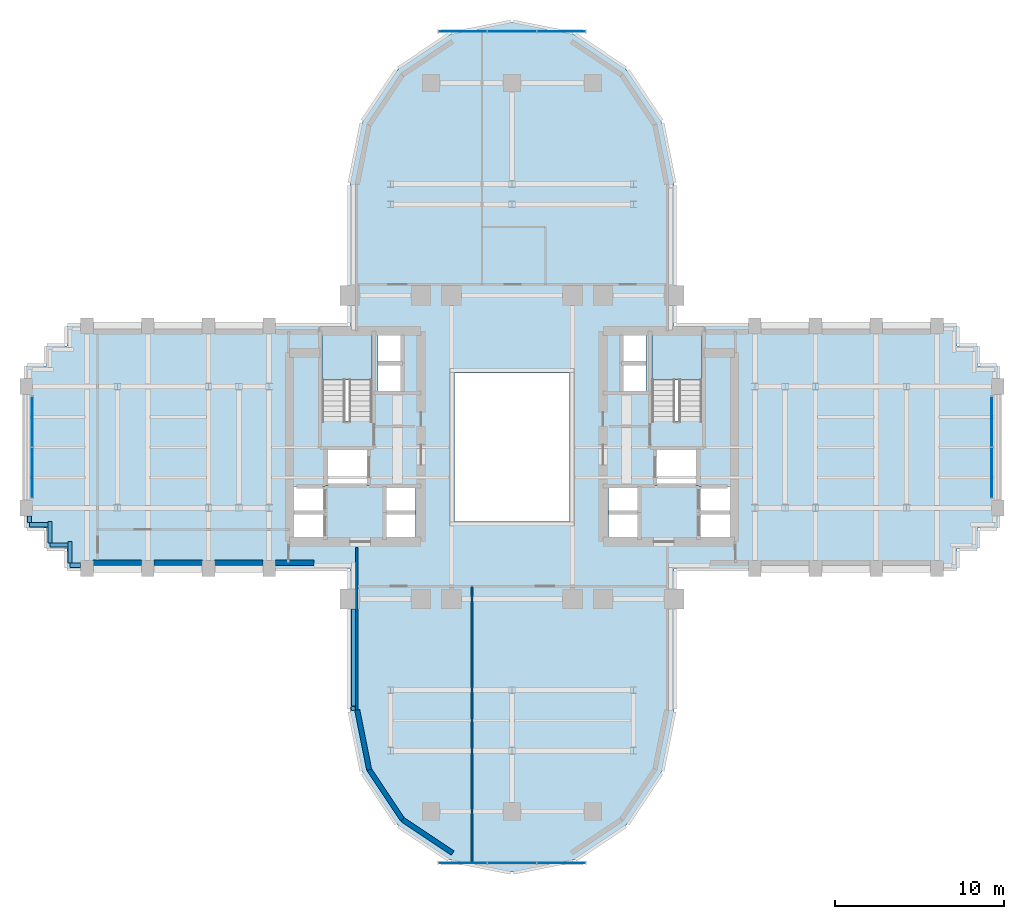
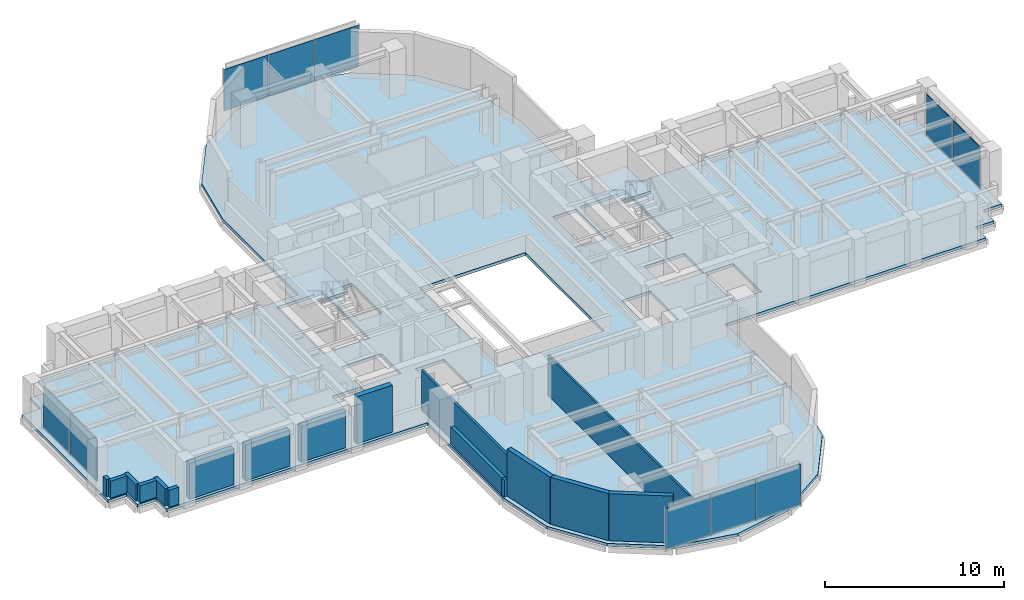
# One storey, part 9 of 16: 17 walls, 10 plates, 3 slabs, 6 elements without a shape of their own.
"""IFC4 building model written with IfcOpenShell, lengths in metres."""

from ifc_helpers import new_model, si_unit, direction, frame, frame_2d, origin, origin_2d, place, context, subcontext, project, spatial, polyline, rectangle, outline, extrude, source, transform, mapped, material, layer, layer_set, type_object, element, aggregate, save


model = new_model("IFC4")

# Units and contexts
model_context = context("Model", 3, precision=1e-05, world=origin(), true_north=direction((0.0, 1.0)))
body_context = subcontext(model_context, "Body", "Model", "MODEL_VIEW")
ifc_project = project(units=[si_unit("LENGTHUNIT", "METRE"), si_unit("AREAUNIT", "SQUARE_METRE"), si_unit("VOLUMEUNIT", "CUBIC_METRE"), si_unit("PLANEANGLEUNIT", "RADIAN"), si_unit("MASSUNIT", "GRAM", prefix="KILO")], contexts=[model_context])

# Site, building, storey
site_placement = place(None, origin())
site = spatial("IfcSite", under=ifc_project, at=site_placement, CompositionType="ELEMENT")
building_placement = place(site_placement, origin())
building = spatial("IfcBuilding", under=site, at=building_placement, Name="Keilestroom Media Tower", CompositionType="ELEMENT")
storey_placement = place(building_placement, frame((0.0, 0.0, 34.0)))
storey = spatial("IfcBuildingStorey", under=building, at=storey_placement, Name="L07", CompositionType="ELEMENT", Elevation=34.0)

# Slab
ifc_material_1 = material(Name="Concrete C50/60", Category="concrete")
ifc_layer_1 = layer(ifc_material_1, 0.199951171875)
ifc_layer_set_1 = layer_set([ifc_layer_1], Name="Concrete C50/60")
slab_type_1 = type_object("IfcSlabType", Name="Composite-Floor-Slab-200", PredefinedType="FLOOR", material=ifc_layer_set_1)
slab_1_placement = place(storey_placement, frame((0.0, 0.0, -0.199951171875)))
element("IfcSlab", 1, at=slab_1_placement, inside=storey, type_object=slab_type_1, Name="L07 Structural Composite Floor Slab", PredefinedType="FLOOR", context=body_context, shape_type="SweptSolid", body=[
    extrude(outline(polyline([(28.800048828125, -4.800048828125), (28.800048828125, 4.800048828125), (27.60009765625, 4.800048828125), (27.60009765625, 6.0), (26.39990234375, 6.0), (26.39990234375, 7.199951171875), (9.60009765625, 7.199951171875), (9.60009765625, 9.60009765625), (9.60009765625, 15.60009765625), (8.869140625, 19.273681640625), (6.7880859375, 22.38818359375), (3.673828125, 24.46923828125), (0.0, 25.199951171875), (-3.673828125, 24.46923828125), (-6.7880859375, 22.38818359375), (-8.869140625, 19.273681640625), (-9.60009765625, 15.60009765625), (-9.60009765625, 9.60009765625), (-9.60009765625, 7.199951171875), (-26.39990234375, 7.199951171875), (-26.39990234375, 6.0), (-27.60009765625, 6.0), (-27.60009765625, 4.800048828125), (-28.800048828125, 4.800048828125), (-28.800048828125, -4.800048828125), (-27.60009765625, -4.800048828125), (-27.60009765625, -6.0), (-26.39990234375, -6.0), (-26.39990234375, -7.199951171875), (-9.60009765625, -7.199951171875), (-9.60009765625, -9.60009765625), (-9.60009765625, -15.60009765625), (-8.869140625, -19.273681640625), (-6.7880859375, -22.38818359375), (-3.673828125, -24.46923828125), (0.0, -25.199951171875), (3.673828125, -24.46923828125), (6.7880859375, -22.38818359375), (8.869140625, -19.273681640625), (9.60009765625, -15.60009765625), (9.60009765625, -9.60009765625), (9.60009765625, -7.199951171875), (26.39990234375, -7.199951171875), (26.39990234375, -6.0), (27.60009765625, -6.0), (27.60009765625, -4.800048828125), (28.800048828125, -4.800048828125)]), holes=[polyline([(-12.919921875, -5.47998046875), (-12.919921875, -2.320068359375), (-11.080078125, -2.320068359375), (-11.080078125, -5.47998046875), (-12.919921875, -5.47998046875)]), polyline([(-11.260009765625, 1.544921875), (-11.260009765625, 6.760009765625), (-8.300048828125, 6.760009765625), (-8.300048828125, 1.544921875), (-11.260009765625, 1.544921875)]), polyline([(-11.050048828125, -2.280029296875), (-11.050048828125, -0.10009765625), (-8.47998046875, -0.10009765625), (-8.47998046875, -2.280029296875), (-11.050048828125, -2.280029296875)]), polyline([(-7.949951171875, 3.300048828125), (-7.949951171875, 6.64990234375), (-6.47998046875, 6.64990234375), (-6.47998046875, 3.300048828125), (-7.949951171875, 3.300048828125)]), polyline([(-7.56005859375, -5.47998046875), (-7.56005859375, -2.320068359375), (-5.719970703125, -2.320068359375), (-5.719970703125, -5.47998046875), (-7.56005859375, -5.47998046875)]), polyline([(-3.39990234375, -4.39990234375), (-3.39990234375, 4.39990234375), (3.39990234375, 4.39990234375), (3.39990234375, -4.39990234375), (-3.39990234375, -4.39990234375)]), polyline([(5.719970703125, -5.47998046875), (5.719970703125, -2.320068359375), (7.56005859375, -2.320068359375), (7.56005859375, -5.47998046875), (5.719970703125, -5.47998046875)]), polyline([(7.949951171875, 6.64990234375), (7.949951171875, 3.300048828125), (6.47998046875, 3.300048828125), (6.47998046875, 6.64990234375), (7.949951171875, 6.64990234375)]), polyline([(8.300048828125, 6.760009765625), (11.260009765625, 6.760009765625), (11.260009765625, 1.544921875), (8.300048828125, 1.544921875), (8.300048828125, 6.760009765625)]), polyline([(8.47998046875, -2.280029296875), (8.47998046875, -0.10009765625), (11.050048828125, -0.10009765625), (11.050048828125, -2.280029296875), (8.47998046875, -2.280029296875)]), polyline([(12.919921875, -5.47998046875), (11.080078125, -5.47998046875), (11.080078125, -2.320068359375), (12.919921875, -2.320068359375), (12.919921875, -5.47998046875)])]), origin(), (0.0, 0.0, 1.0), 0.199951171875),
])

# Stair, slab
ifc_material_2 = material(Name="Concrete C45/55", Category="concrete")
stair_type = type_object("IfcStairType", Name="Enclosed-Dog-Leg-Stair-ST-CORE", PredefinedType="HALF_TURN_STAIR", material=ifc_material_2)
stair_1_placement = place(storey_placement, origin())
stair_1 = element("IfcStair", 2, at=stair_1_placement, inside=storey, type_object=stair_type, Name="L07 West Core Escape Stair ST-1", PredefinedType="HALF_TURN_STAIR")
ifc_layer_2 = layer(ifc_material_2, 0.199951171875)
ifc_layer_set_2 = layer_set([ifc_layer_2], Name="Concrete C45/55")
slab_type_2 = type_object("IfcSlabType", Name="Stair-Intermediate-And-Top-Landing-Slab-200", PredefinedType="LANDING", material=ifc_layer_set_2)
slab_2_placement = place(storey_placement, frame((0.0, 0.0, 1.5)))
slab_2 = element("IfcSlab", 3, at=slab_2_placement, type_object=slab_type_2, Name="ST-1 landing 1", PredefinedType="LANDING", context=body_context, shape_type="SweptSolid", body=[
    extrude(outline(polyline([(-8.300048828125, 3.99609375), (-8.300048828125, 6.760009765625), (-11.260009765625, 6.760009765625), (-11.260009765625, 3.99609375), (-8.300048828125, 3.99609375)])), origin(), (0.0, 0.0, 1.0), 0.199951171875),
])
aggregate(stair_1, [slab_2])

stair_2_placement = place(storey_placement, origin())
stair_2 = element("IfcStair", 4, at=stair_2_placement, inside=storey, type_object=stair_type, Name="L07 East Core Escape Stair ST-2", PredefinedType="HALF_TURN_STAIR")
slab_3_placement = place(storey_placement, frame((0.0, 0.0, 1.5)))
slab_3 = element("IfcSlab", 5, at=slab_3_placement, type_object=slab_type_2, Name="ST-2 landing 1", PredefinedType="LANDING", context=body_context, shape_type="SweptSolid", body=[
    extrude(outline(polyline([(11.260009765625, 3.99609375), (11.260009765625, 6.760009765625), (8.300048828125, 6.760009765625), (8.300048828125, 3.99609375), (11.260009765625, 3.99609375)])), origin(), (0.0, 0.0, 1.0), 0.199951171875),
])
aggregate(stair_2, [slab_3])

# Curtain wall, plates
ifc_material_3 = material(Name="Anodised Aluminium Alloy", Category="aluminium")
curtain_wall_type_1 = type_object("IfcCurtainWallType", Name="Unitised-Curtain-Wall-CW-1", PredefinedType="NOTDEFINED", material=ifc_material_3)
curtain_wall_1_placement = place(storey_placement, origin())
curtain_wall_1 = element("IfcCurtainWall", 6, at=curtain_wall_1_placement, inside=storey, type_object=curtain_wall_type_1, Name="L07 Curtain Wall CW-1 CW-L07-W-1", PredefinedType="NOTDEFINED")
ifc_material_4 = material(Name="Double Glazed Low-E Unit", Category="glass")
ifc_layer_3 = layer(ifc_material_4, 0.0439453125)
ifc_layer_set_3 = layer_set([ifc_layer_3], Name="Double Glazed Low-E Unit")
plate_type_1 = type_object("IfcPlateType", Name="Insulated-Curtain-Wall-Glazing-Panel-CW-1", PredefinedType="CURTAIN_PANEL", material=ifc_layer_set_3)
shared_shape_1 = source(origin(), body_context, "Body", "SweptSolid", [
    extrude(rectangle(XDim=2.968017578125, YDim=0.0439453125, at=origin_2d()), origin(), (0.0, 0.0, 1.0), 2.833984375),
])
plate_1_placement = place(storey_placement, frame((-28.449951171875, -1.514892578125, 0.072998046875), z_axis=(0.0, 0.0, 1.0), x_axis=(0.0, 1.0, 0.0)))
plate_1 = element("IfcPlate", 7, at=plate_1_placement, type_object=plate_type_1, Name="CW-1 Unitised Glazing 00", PredefinedType="CURTAIN_PANEL", context=body_context, shape_type="MappedRepresentation", body=[
    mapped(shared_shape_1, transform((0.0, 0.0, 0.0), x_axis=(1.0, 0.0, 0.0), y_axis=(0.0, 1.0, 0.0), z_axis=(0.0, 0.0, 1.0), scale=1.0)),
])
plate_2_placement = place(storey_placement, frame((-28.449951171875, 1.514892578125, 0.072998046875), z_axis=(0.0, 0.0, 1.0), x_axis=(0.0, 1.0, 0.0)))
plate_2 = element("IfcPlate", 8, at=plate_2_placement, type_object=plate_type_1, Name="CW-1 Unitised Glazing 01", PredefinedType="CURTAIN_PANEL", context=body_context, shape_type="MappedRepresentation", body=[
    mapped(shared_shape_1, transform((0.0, 0.0, 0.0), x_axis=(1.0, 0.0, 0.0), y_axis=(0.0, 1.0, 0.0), z_axis=(0.0, 0.0, 1.0), scale=1.0)),
])
aggregate(curtain_wall_1, [plate_1, plate_2])

curtain_wall_2_placement = place(storey_placement, origin())
curtain_wall_2 = element("IfcCurtainWall", 9, at=curtain_wall_2_placement, inside=storey, type_object=curtain_wall_type_1, Name="L07 Curtain Wall CW-1 CW-L07-E-1", PredefinedType="NOTDEFINED")
plate_3_placement = place(storey_placement, frame((28.449951171875, -1.514892578125, 0.072998046875), z_axis=(0.0, 0.0, 1.0), x_axis=(0.0, 1.0, 0.0)))
plate_3 = element("IfcPlate", 10, at=plate_3_placement, type_object=plate_type_1, Name="CW-1 Unitised Glazing 00", PredefinedType="CURTAIN_PANEL", context=body_context, shape_type="MappedRepresentation", body=[
    mapped(shared_shape_1, transform((0.0, 0.0, 0.0), x_axis=(1.0, 0.0, 0.0), y_axis=(0.0, 1.0, 0.0), z_axis=(0.0, 0.0, 1.0), scale=1.0)),
])
plate_4_placement = place(storey_placement, frame((28.449951171875, 1.514892578125, 0.072998046875), z_axis=(0.0, 0.0, 1.0), x_axis=(0.0, 1.0, 0.0)))
plate_4 = element("IfcPlate", 11, at=plate_4_placement, type_object=plate_type_1, Name="CW-1 Unitised Glazing 01", PredefinedType="CURTAIN_PANEL", context=body_context, shape_type="MappedRepresentation", body=[
    mapped(shared_shape_1, transform((0.0, 0.0, 0.0), x_axis=(1.0, 0.0, 0.0), y_axis=(0.0, 1.0, 0.0), z_axis=(0.0, 0.0, 1.0), scale=1.0)),
])
aggregate(curtain_wall_2, [plate_3, plate_4])

curtain_wall_type_2 = type_object("IfcCurtainWallType", Name="Unitised-Curtain-Wall-CW-6", PredefinedType="NOTDEFINED", material=ifc_material_3)
curtain_wall_3_placement = place(storey_placement, origin())
curtain_wall_3 = element("IfcCurtainWall", 12, at=curtain_wall_3_placement, inside=storey, type_object=curtain_wall_type_2, Name="L07 Curtain Wall CW-6 CW-L07-LN-1", PredefinedType="NOTDEFINED")
ifc_material_5 = material(Name="Curved-Facet Triple Glazed Unit", Category="glass")
ifc_layer_4 = layer(ifc_material_5, 0.033935546875)
ifc_layer_set_4 = layer_set([ifc_layer_4], Name="Curved-Facet Triple Glazed Unit")
plate_type_2 = type_object("IfcPlateType", Name="Insulated-Curtain-Wall-Glazing-Panel-CW-6", PredefinedType="CURTAIN_PANEL", material=ifc_layer_set_4)
shared_shape_2 = source(origin(), body_context, "Body", "SweptSolid", [
    extrude(rectangle(XDim=2.84375, YDim=0.033935546875, at=origin_2d()), origin(), (0.0, 0.0, 1.0), 2.833984375),
])
plate_5_placement = place(storey_placement, frame((-2.9169921875, 24.64990234375, 0.072998046875), z_axis=(0.0, 0.0, 1.0), x_axis=(1.0, 0.0, 0.0)))
plate_5 = element("IfcPlate", 13, at=plate_5_placement, type_object=plate_type_2, Name="CW-6 Unitised Glazing 00", PredefinedType="CURTAIN_PANEL", context=body_context, shape_type="MappedRepresentation", body=[
    mapped(shared_shape_2, transform((0.0, 0.0, 0.0), x_axis=(1.0, 0.0, 0.0), y_axis=(0.0, 1.0, 0.0), z_axis=(0.0, 0.0, 1.0), scale=1.0)),
])
plate_6_placement = place(storey_placement, frame((2.9169921875, 24.64990234375, 0.072998046875), z_axis=(0.0, 0.0, 1.0), x_axis=(1.0, 0.0, 0.0)))
plate_6 = element("IfcPlate", 14, at=plate_6_placement, type_object=plate_type_2, Name="CW-6 Unitised Glazing 02", PredefinedType="CURTAIN_PANEL", context=body_context, shape_type="MappedRepresentation", body=[
    mapped(shared_shape_2, transform((0.0, 0.0, 0.0), x_axis=(1.0, 0.0, 0.0), y_axis=(0.0, 1.0, 0.0), z_axis=(0.0, 0.0, 1.0), scale=1.0)),
])

curtain_wall_4_placement = place(storey_placement, origin())
curtain_wall_4 = element("IfcCurtainWall", 15, at=curtain_wall_4_placement, inside=storey, type_object=curtain_wall_type_2, Name="L07 Curtain Wall CW-6 CW-L07-LS-1", PredefinedType="NOTDEFINED")
plate_7_placement = place(storey_placement, frame((-2.9169921875, -24.64990234375, 0.072998046875), z_axis=(0.0, 0.0, 1.0), x_axis=(1.0, 0.0, 0.0)))
plate_7 = element("IfcPlate", 16, at=plate_7_placement, type_object=plate_type_2, Name="CW-6 Unitised Glazing 00", PredefinedType="CURTAIN_PANEL", context=body_context, shape_type="MappedRepresentation", body=[
    mapped(shared_shape_2, transform((0.0, 0.0, 0.0), x_axis=(1.0, 0.0, 0.0), y_axis=(0.0, 1.0, 0.0), z_axis=(0.0, 0.0, 1.0), scale=1.0)),
])
plate_8_placement = place(storey_placement, frame((2.9169921875, -24.64990234375, 0.072998046875), z_axis=(0.0, 0.0, 1.0), x_axis=(1.0, 0.0, 0.0)))
plate_8 = element("IfcPlate", 17, at=plate_8_placement, type_object=plate_type_2, Name="CW-6 Unitised Glazing 02", PredefinedType="CURTAIN_PANEL", context=body_context, shape_type="MappedRepresentation", body=[
    mapped(shared_shape_2, transform((0.0, 0.0, 0.0), x_axis=(1.0, 0.0, 0.0), y_axis=(0.0, 1.0, 0.0), z_axis=(0.0, 0.0, 1.0), scale=1.0)),
])

# Plate
shared_shape_3 = source(origin(), body_context, "Body", "SweptSolid", [
    extrude(rectangle(XDim=2.876220703125, YDim=0.033935546875, at=origin_2d()), origin(), (0.0, 0.0, 1.0), 2.833984375),
])
plate_9_placement = place(storey_placement, frame((0.0, 24.64990234375, 0.072998046875), z_axis=(0.0, 0.0, 1.0), x_axis=(1.0, 0.0, 0.0)))
plate_9 = element("IfcPlate", 18, at=plate_9_placement, type_object=plate_type_2, Name="CW-6 Unitised Glazing 01", PredefinedType="CURTAIN_PANEL", context=body_context, shape_type="MappedRepresentation", body=[
    mapped(shared_shape_3, transform((0.0, 0.0, 0.0), x_axis=(1.0, 0.0, 0.0), y_axis=(0.0, 1.0, 0.0), z_axis=(0.0, 0.0, 1.0), scale=1.0)),
])

aggregate(curtain_wall_3, [plate_5, plate_9, plate_6])

plate_10_placement = place(storey_placement, frame((0.0, -24.64990234375, 0.072998046875), z_axis=(0.0, 0.0, 1.0), x_axis=(1.0, 0.0, 0.0)))
plate_10 = element("IfcPlate", 19, at=plate_10_placement, type_object=plate_type_2, Name="CW-6 Unitised Glazing 01", PredefinedType="CURTAIN_PANEL", context=body_context, shape_type="MappedRepresentation", body=[
    mapped(shared_shape_3, transform((0.0, 0.0, 0.0), x_axis=(1.0, 0.0, 0.0), y_axis=(0.0, 1.0, 0.0), z_axis=(0.0, 0.0, 1.0), scale=1.0)),
])

aggregate(curtain_wall_4, [plate_7, plate_10, plate_8])

# Walls
ifc_material_6 = material(Name="Precast concrete C40/50", Category="concrete")
ifc_layer_5 = layer(ifc_material_6, 0.300048828125)
ifc_layer_set_5 = layer_set([ifc_layer_5], Name="Precast concrete C40/50")
wall_type_1 = type_object("IfcWallType", Name="Exterior-Masonry-Spandrel-Wall-300", PredefinedType="SOLIDWALL", material=ifc_layer_set_5)
for number, where, z_axis, x_axis, name in (
    (20, (-9.1748046875, -15.585205078125, 0.0), (0.0, 0.0, 1.0), (0.195114232679, -0.980780523974, 0.0), "L07 Lobe Facet Precast Frame Wall 07"),
    (21, (-8.48193359375, -19.097412109375, 0.0), (0.0, 0.0, 1.0), (0.555574187116, -0.831466970246, 0.0), "L07 Lobe Facet Precast Frame Wall 08"),
):
    element("IfcWall", number, at=place(storey_placement, frame(where, z_axis=z_axis, x_axis=x_axis)), inside=storey, type_object=wall_type_1, Name=name, PredefinedType="SOLIDWALL", context=body_context, shape_type="SweptSolid", body=[
        extrude(rectangle(XDim=3.608642578125, YDim=0.300048828125, at=frame_2d((1.80419921875, 0.0))), origin(), (0.0, 0.0, 1.0), 3.199951171875),
    ])
wall_1_placement = place(storey_placement, frame((-6.497802734375, -22.0771484375, 0.0), z_axis=(0.0, 0.0, 1.0), x_axis=(0.8314749531, -0.555562239868, 0.0)))
element("IfcWall", 22, at=wall_1_placement, inside=storey, type_object=wall_type_1, Name="L07 Lobe Facet Precast Frame Wall 09", PredefinedType="SOLIDWALL", context=body_context, shape_type="SweptSolid", body=[
    extrude(rectangle(XDim=3.59326171875, YDim=0.300048828125, at=frame_2d((1.796630859375, 0.0))), origin(), (0.0, 0.0, 1.0), 3.199951171875),
])
ifc_layer_6 = layer(ifc_material_6, 0.340087890625)
ifc_layer_set_6 = layer_set([ifc_layer_6], Name="Precast concrete C40/50")
wall_type_2 = type_object("IfcWallType", Name="Exterior-Masonry-Spandrel-Wall-340", PredefinedType="SOLIDWALL", material=ifc_layer_set_6)
for number, where, z_axis, x_axis, name in (
    (23, (-24.8330078125, -6.85009765625, 0.0), (0.0, 0.0, 1.0), (1.0, 0.0, 0.0), "L07 Flank Masonry Wall EWL-L07-SW-1"),
    (24, (-21.23291015625, -6.85009765625, 0.0), (0.0, 0.0, 1.0), (1.0, 0.0, 0.0), "L07 Flank Masonry Wall EWL-L07-SW-2"),
    (25, (-17.633056640625, -6.85009765625, 0.0), (0.0, 0.0, 1.0), (1.0, 0.0, 0.0), "L07 Flank Masonry Wall EWL-L07-SW-3"),
):
    element("IfcWall", number, at=place(storey_placement, frame(where, z_axis=z_axis, x_axis=x_axis)), inside=storey, type_object=wall_type_2, Name=name, PredefinedType="SOLIDWALL", context=body_context, shape_type="SweptSolid", body=[
        extrude(rectangle(XDim=2.865966796875, YDim=0.340087890625, at=frame_2d((1.43310546875, 0.0))), origin(), (0.0, 0.0, 1.0), 2.449951171875),
    ])
wall_2_placement = place(storey_placement, frame((-14.032958984375, -6.85009765625, 0.0), z_axis=(0.0, 0.0, 1.0), x_axis=(1.0, 0.0, 0.0)))
element("IfcWall", 26, at=wall_2_placement, inside=storey, type_object=wall_type_2, Name="L07 Flank Masonry Wall EWL-L07-SW-4", PredefinedType="SOLIDWALL", context=body_context, shape_type="SweptSolid", body=[
    extrude(rectangle(XDim=2.282958984375, YDim=0.340087890625, at=frame_2d((1.1416015625, 0.0))), origin(), (0.0, 0.0, 1.0), 3.199951171875),
])
ifc_material_7 = material(Name="Gypsum Plasterboard & Steel Stud", Category="steel")
ifc_layer_7 = layer(ifc_material_7, 0.1201171875)
ifc_layer_set_7 = layer_set([ifc_layer_7], Name="Gypsum Plasterboard & Steel Stud")
wall_type_3 = type_object("IfcWallType", Name="Interior-Partition-Wall-120", PredefinedType="PARTITIONING", material=ifc_layer_set_7)
wall_3_placement = place(storey_placement, frame((-2.3798828125, -24.64990234375, 0.0), z_axis=(0.0, 0.0, 1.0), x_axis=(0.0, 1.0, 0.0)))
element("IfcWall", 27, at=wall_3_placement, inside=storey, type_object=wall_type_3, Name="L07 Interior Wall WP-L07-SL-VS", PredefinedType="PARTITIONING", context=body_context, shape_type="SweptSolid", body=[
    extrude(rectangle(XDim=16.39990234375, YDim=0.1201171875, at=frame_2d((8.199951171875, 0.0))), origin(), (0.0, 0.0, 1.0), 2.7099609375),
])
ifc_layer_8 = layer(ifc_material_7, 0.14990234375)
ifc_layer_set_8 = layer_set([ifc_layer_8], Name="Gypsum Plasterboard & Steel Stud")
wall_type_4 = type_object("IfcWallType", Name="Interior-Partition-Wall-150", PredefinedType="PARTITIONING", material=ifc_layer_set_8)
wall_4_placement = place(storey_placement, frame((-9.199951171875, -15.679931640625, 0.0), z_axis=(0.0, 0.0, 1.0), x_axis=(0.0, 1.0, 0.0)))
element("IfcWall", 28, at=wall_4_placement, inside=storey, type_object=wall_type_4, Name="L07 Interior Wall WP-L07-SL-CHKW", PredefinedType="PARTITIONING", context=body_context, shape_type="SweptSolid", body=[
    extrude(rectangle(XDim=9.739990234375, YDim=0.14990234375, at=frame_2d((4.8701171875, 0.0))), origin(), (0.0, 0.0, 1.0), 2.7099609375),
])
ifc_layer_9 = layer(ifc_material_6, 0.239990234375)
ifc_layer_set_9 = layer_set([ifc_layer_9], Name="Precast concrete C40/50")
wall_type_5 = type_object("IfcWallType", Name="Roof-And-Terrace-Parapet-Wall-240", PredefinedType="PARAPET", material=ifc_layer_set_9)
wall_5_placement = place(storey_placement, frame((-9.395263671875, -15.604248046875, 0.0), z_axis=(0.0, 0.0, 1.0), x_axis=(-0.194652052864, 0.980872355771, 0.0)))
element("IfcWall", 29, at=wall_5_placement, inside=storey, type_object=wall_type_5, Name="L07 Perimeter Edge Parapet Wall 09", PredefinedType="PARAPET", context=body_context, shape_type="SweptSolid", body=[
    extrude(rectangle(XDim=0.224609375, YDim=0.239990234375, at=frame_2d((0.1123046875, 0.0))), origin(), (0.0, 0.0, 1.0), 1.14990234375),
])
wall_6_placement = place(storey_placement, frame((-9.39990234375, -15.357666015625, 0.0), z_axis=(0.0, 0.0, 1.0), x_axis=(0.0, 1.0, 0.0)))
element("IfcWall", 30, at=wall_6_placement, inside=storey, type_object=wall_type_5, Name="L07 Perimeter Edge Parapet Wall 10", PredefinedType="PARAPET", context=body_context, shape_type="SweptSolid", body=[
    extrude(rectangle(XDim=5.754638671875, YDim=0.239990234375, at=frame_2d((2.87744140625, 0.0))), origin(), (0.0, 0.0, 1.0), 1.14990234375),
])
wall_7_placement = place(storey_placement, frame((-25.577880859375, -7.0, 0.0), z_axis=(0.0, 0.0, 1.0), x_axis=(-1.0, 0.0, 0.0)))
element("IfcWall", 31, at=wall_7_placement, inside=storey, type_object=wall_type_5, Name="L07 Perimeter Edge Parapet Wall 13", PredefinedType="PARAPET", context=body_context, shape_type="SweptSolid", body=[
    extrude(rectangle(XDim=0.6220703125, YDim=0.239990234375, at=frame_2d((0.31103515625, 0.0))), origin(), (0.0, 0.0, 1.0), 1.14990234375),
])
wall_8_placement = place(storey_placement, frame((-26.199951171875, -6.876953125, 0.0), z_axis=(0.0, 0.0, 1.0), x_axis=(0.0, 1.0, 0.0)))
element("IfcWall", 32, at=wall_8_placement, inside=storey, type_object=wall_type_5, Name="L07 Perimeter Edge Parapet Wall 14", PredefinedType="PARAPET", context=body_context, shape_type="SweptSolid", body=[
    extrude(rectangle(XDim=1.27685546875, YDim=0.239990234375, at=frame_2d((0.638427734375, 0.0))), origin(), (0.0, 0.0, 1.0), 1.14990234375),
])
wall_9_placement = place(storey_placement, frame((-26.322998046875, -5.800048828125, 0.0), z_axis=(0.0, 0.0, 1.0), x_axis=(-1.0, 0.0, 0.0)))
element("IfcWall", 33, at=wall_9_placement, inside=storey, type_object=wall_type_5, Name="L07 Perimeter Edge Parapet Wall 15", PredefinedType="PARAPET", context=body_context, shape_type="SweptSolid", body=[
    extrude(rectangle(XDim=1.076904296875, YDim=0.239990234375, at=frame_2d((0.53857421875, 0.0))), origin(), (0.0, 0.0, 1.0), 1.14990234375),
])
wall_10_placement = place(storey_placement, frame((-27.39990234375, -5.677001953125, 0.0), z_axis=(0.0, 0.0, 1.0), x_axis=(0.0, 1.0, 0.0)))
element("IfcWall", 34, at=wall_10_placement, inside=storey, type_object=wall_type_5, Name="L07 Perimeter Edge Parapet Wall 16", PredefinedType="PARAPET", context=body_context, shape_type="SweptSolid", body=[
    extrude(rectangle(XDim=1.277099609375, YDim=0.239990234375, at=frame_2d((0.638671875, 0.0))), origin(), (0.0, 0.0, 1.0), 1.14990234375),
])
wall_11_placement = place(storey_placement, frame((-27.52294921875, -4.60009765625, 0.0), z_axis=(0.0, 0.0, 1.0), x_axis=(-1.0, 0.0, 0.0)))
element("IfcWall", 35, at=wall_11_placement, inside=storey, type_object=wall_type_5, Name="L07 Perimeter Edge Parapet Wall 17", PredefinedType="PARAPET", context=body_context, shape_type="SweptSolid", body=[
    extrude(rectangle(XDim=1.0771484375, YDim=0.239990234375, at=frame_2d((0.53857421875, 0.0))), origin(), (0.0, 0.0, 1.0), 1.14990234375),
])
wall_12_placement = place(storey_placement, frame((-28.60009765625, -4.47705078125, 0.0), z_axis=(0.0, 0.0, 1.0), x_axis=(0.0, 1.0, 0.0)))
element("IfcWall", 36, at=wall_12_placement, inside=storey, type_object=wall_type_5, Name="L07 Perimeter Edge Parapet Wall 18", PredefinedType="PARAPET", context=body_context, shape_type="SweptSolid", body=[
    extrude(rectangle(XDim=0.399169921875, YDim=0.239990234375, at=frame_2d((0.19970703125, 0.0))), origin(), (0.0, 0.0, 1.0), 1.14990234375),
])

save(model, "model.ifc")
